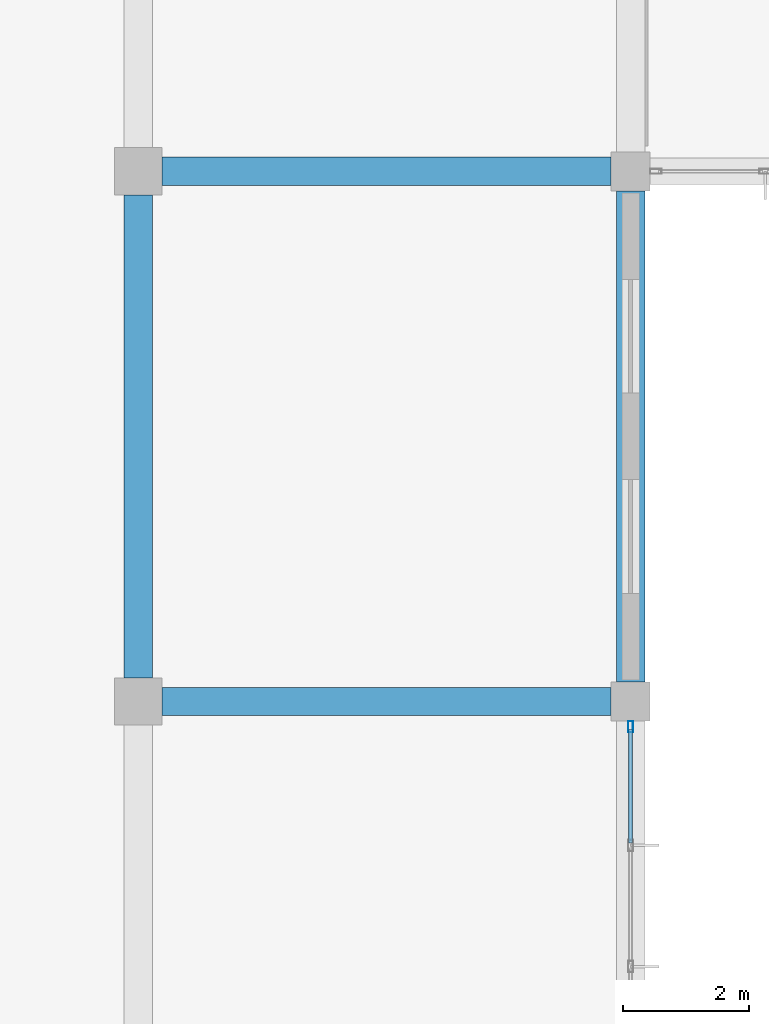
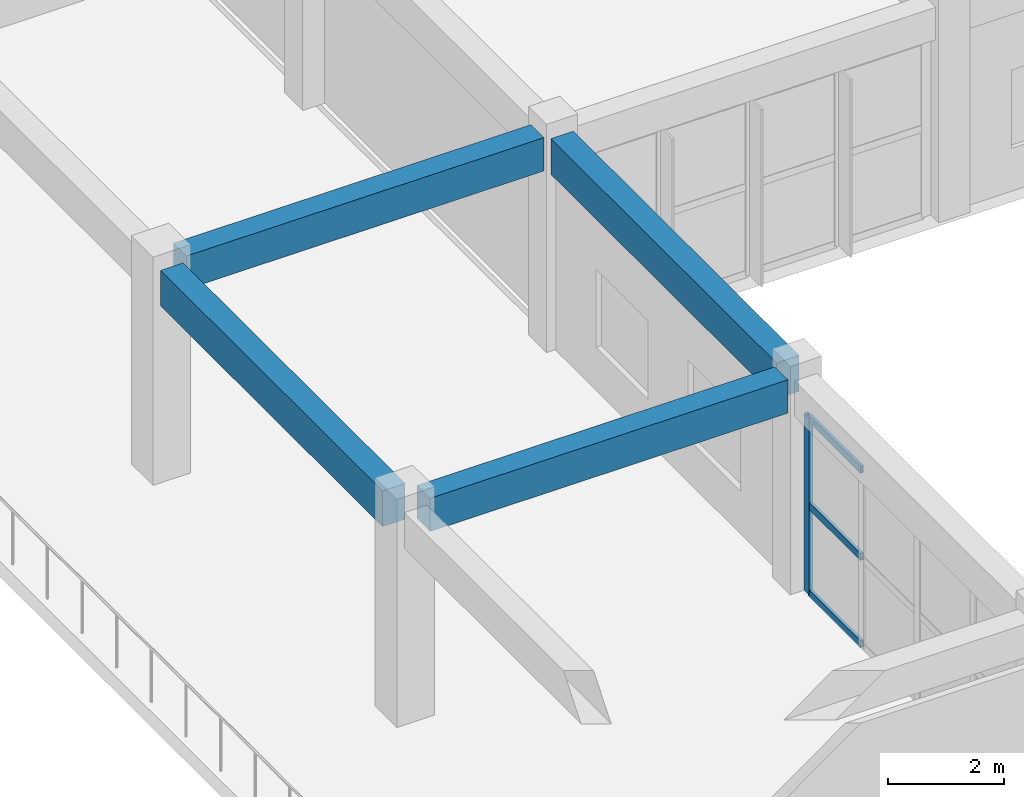
# One storey, part 84 of 167: 4 beams, 4 members, 1 element without a shape of its own.
"""IFC4 building model written with IfcOpenShell, lengths in metres."""

from ifc_helpers import new_model, si_unit, direction, frame, origin, origin_2d, place, context, subcontext, project, spatial, rectangle, hollow_rectangle, extrude, material, layer, layer_set, material_profile, profile_set, type_object, element, aggregate, save


model = new_model("IFC4")

# Units and contexts
model_context = context("Model", 3, precision=1e-05, world=origin(), true_north=direction((0.0, 1.0)))
body_context = subcontext(model_context, "Body", "Model", "MODEL_VIEW")
ifc_project = project(units=[si_unit("LENGTHUNIT", "METRE"), si_unit("AREAUNIT", "SQUARE_METRE"), si_unit("VOLUMEUNIT", "CUBIC_METRE"), si_unit("PLANEANGLEUNIT", "RADIAN"), si_unit("MASSUNIT", "GRAM", prefix="KILO")], contexts=[model_context])

# Site, building, storey
site_placement = place(None, origin())
site = spatial("IfcSite", under=ifc_project, at=site_placement, CompositionType="ELEMENT")
building_placement = place(site_placement, origin())
building = spatial("IfcBuilding", under=site, at=building_placement, Name="Zizhar Promenade General Hospital", CompositionType="ELEMENT")
storey_placement = place(building_placement, frame((0.0, 0.0, 9.60009765625)))
storey = spatial("IfcBuildingStorey", under=building, at=storey_placement, Name="L02", CompositionType="ELEMENT", Elevation=9.60009765625)

# Beams
ifc_material_1 = material(Name="Concrete C35/45", Category="concrete")
ifc_material_profile_1 = material_profile(ifc_material_1, rectangle(XDim=0.449951171875, YDim=0.699951171875, at=origin_2d()))
ifc_profile_set_1 = profile_set([ifc_material_profile_1], Name="Concrete C35/45")
beam_type_1 = type_object("IfcBeamType", Name="BM-RC-450x700", PredefinedType="BEAM", material=ifc_profile_set_1)
for number, where, z_axis, x_axis, name in (
    (1, (125.175048828125, 33.60009765625, 4.119873046875), (1.0, 0.0, 0.0), (0.0, 1.0, 0.0), "Grid Beam X L02 (16-4)"),
    (2, (125.175048828125, 42.0, 4.119873046875), (1.0, 0.0, 0.0), (0.0, 1.0, 0.0), "Grid Beam X L02 (16-5)"),
):
    element("IfcBeam", number, at=place(storey_placement, frame(where, z_axis=z_axis, x_axis=x_axis)), inside=storey, type_object=beam_type_1, Name=name, PredefinedType="BEAM", context=body_context, shape_type="SweptSolid", body=[
        extrude(rectangle(XDim=0.449951171875, YDim=0.699951171875, at=origin_2d()), origin(), (0.0, 0.0, 1.0), 7.114990234375),
    ])
ifc_material_2 = material(Name="Concrete C35/45", Category="concrete")
ifc_material_profile_2 = material_profile(ifc_material_2, rectangle(XDim=0.449951171875, YDim=0.75, at=origin_2d()))
ifc_profile_set_2 = profile_set([ifc_material_profile_2], Name="Concrete C35/45")
beam_type_2 = type_object("IfcBeamType", Name="BM-RC-450x750", PredefinedType="BEAM", material=ifc_profile_set_2)
beam_1_placement = place(storey_placement, frame((124.800048828125, 33.97509765625, 4.094970703125), z_axis=(0.0, 1.0, 0.0), x_axis=(-1.0, 0.0, 0.0)))
element("IfcBeam", 3, at=beam_1_placement, inside=storey, type_object=beam_type_2, Name="Grid Beam Y L02 (16-4)", PredefinedType="BEAM", context=body_context, shape_type="SweptSolid", body=[
    extrude(rectangle(XDim=0.449951171875, YDim=0.75, at=origin_2d()), origin(), (0.0, 0.0, 1.0), 7.64990234375),
])
beam_2_placement = place(storey_placement, frame((132.60009765625, 33.909912109375, 4.094970703125), z_axis=(0.0, 1.0, 0.0), x_axis=(-1.0, 0.0, 0.0)))
element("IfcBeam", 4, at=beam_2_placement, inside=storey, type_object=beam_type_2, Name="Grid Beam Y L02 (17-4)", PredefinedType="BEAM", context=body_context, shape_type="SweptSolid", body=[
    extrude(rectangle(XDim=0.449951171875, YDim=0.75, at=origin_2d()), origin(), (0.0, 0.0, 1.0), 7.780029296875),
])

# Curtain wall, members
ifc_material_3 = material(Name="Anodised aluminium 6063-T6 and low-E glass", Category="aluminium")
ifc_layer = layer(ifc_material_3, 0.159912109375)
ifc_layer_set = layer_set([ifc_layer], Name="Anodised aluminium 6063-T6 and low-E glass")
curtain_wall_type = type_object("IfcCurtainWallType", Name="CW-HALL-S", PredefinedType="NOTDEFINED", material=ifc_layer_set)
curtain_wall_placement = place(storey_placement, origin())
curtain_wall = element("IfcCurtainWall", 5, at=curtain_wall_placement, inside=storey, type_object=curtain_wall_type, Name="Forecourt Arrival Glazed Curtain Wall L02-3", PredefinedType="NOTDEFINED")
ifc_material_4 = material(Name="Anodised aluminium 6063-T6", Category="aluminium")
ifc_material_profile_3 = material_profile(ifc_material_4, hollow_rectangle(XDim=0.080078125, YDim=0.179931640625, WallThickness=0.0048828125, at=origin_2d()))
ifc_profile_set_3 = profile_set([ifc_material_profile_3], Name="Anodised aluminium 6063-T6")
member_type_1 = type_object("IfcMemberType", Name="CWM-ALU-180x80", PredefinedType="MULLION", material=ifc_profile_set_3)
member_1_placement = place(storey_placement, frame((132.60009765625, 33.199951171875, 0.0), z_axis=(0.0, 0.0, 1.0), x_axis=(1.0, 0.0, 0.0)))
member_1 = element("IfcMember", 6, at=member_1_placement, type_object=member_type_1, Name="CW-01 mullion 1", PredefinedType="MULLION", context=body_context, shape_type="SweptSolid", body=[
    extrude(hollow_rectangle(XDim=0.080078125, YDim=0.179931640625, WallThickness=0.0048828125, at=origin_2d()), origin(), (0.0, 0.0, 1.0), 3.72998046875),
])
ifc_material_5 = material(Name="Anodised aluminium 6063-T6", Category="aluminium")
ifc_material_profile_4 = material_profile(ifc_material_5, hollow_rectangle(XDim=0.06005859375, YDim=0.14990234375, WallThickness=0.00390625, at=origin_2d()))
ifc_profile_set_4 = profile_set([ifc_material_profile_4], Name="Anodised aluminium 6063-T6")
member_type_2 = type_object("IfcMemberType", Name="CWT-ALU-150x60", PredefinedType="USERDEFINED", material=ifc_profile_set_4)
member_2_placement = place(storey_placement, frame((132.60009765625, 33.159912109375, 0.02978515625), z_axis=(0.0, -1.0, 0.0), x_axis=(1.0, 0.0, 0.0)))
member_2 = element("IfcMember", 7, at=member_2_placement, type_object=member_type_2, Name="CW-01 transom 1.1", ObjectType="TRANSOM", PredefinedType="USERDEFINED", context=body_context, shape_type="SweptSolid", body=[
    extrude(hollow_rectangle(XDim=0.06005859375, YDim=0.14990234375, WallThickness=0.00390625, at=origin_2d()), origin(), (0.0, 0.0, 1.0), 1.7998046875),
])
member_3_placement = place(storey_placement, frame((132.60009765625, 33.159912109375, 1.864990234375), z_axis=(0.0, -1.0, 0.0), x_axis=(1.0, 0.0, 0.0)))
member_3 = element("IfcMember", 8, at=member_3_placement, type_object=member_type_2, Name="CW-01 transom 1.2", ObjectType="TRANSOM", PredefinedType="USERDEFINED", context=body_context, shape_type="SweptSolid", body=[
    extrude(hollow_rectangle(XDim=0.06005859375, YDim=0.14990234375, WallThickness=0.00390625, at=origin_2d()), origin(), (0.0, 0.0, 1.0), 1.7998046875),
])
member_4_placement = place(storey_placement, frame((132.60009765625, 33.159912109375, 3.699951171875), z_axis=(0.0, -1.0, 0.0), x_axis=(1.0, 0.0, 0.0)))
member_4 = element("IfcMember", 9, at=member_4_placement, type_object=member_type_2, Name="CW-01 transom 1.3", ObjectType="TRANSOM", PredefinedType="USERDEFINED", context=body_context, shape_type="SweptSolid", body=[
    extrude(hollow_rectangle(XDim=0.06005859375, YDim=0.14990234375, WallThickness=0.00390625, at=origin_2d()), origin(), (0.0, 0.0, 1.0), 1.7998046875),
])
aggregate(curtain_wall, [member_1, member_2, member_3, member_4])

save(model, "model.ifc")
